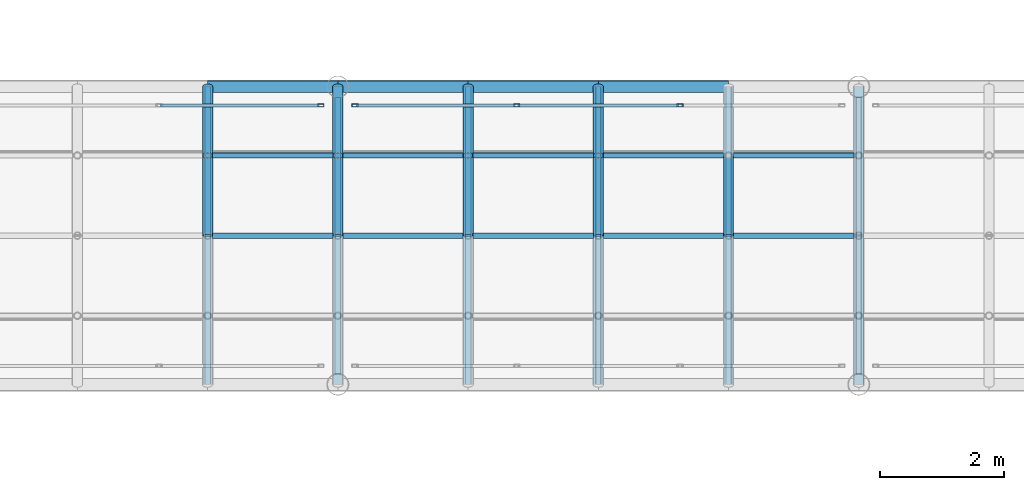
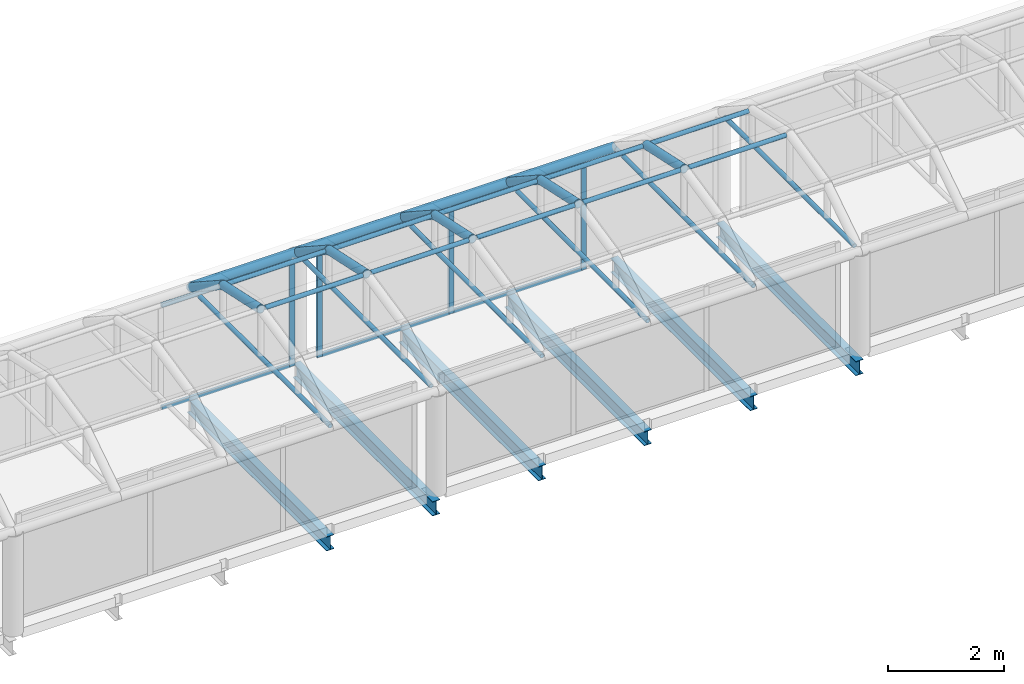
# One storey, part 101 of 167: 33 members, 12 beams, 2 elements without a shape of their own.
"""IFC4 building model written with IfcOpenShell, lengths in metres."""

from ifc_helpers import new_model, si_unit, direction, frame, origin, origin_2d, place, context, subcontext, project, spatial, hollow_rectangle, hollow_circle, i_section, extrude, material, material_profile, profile_set, type_object, element, aggregate, save


model = new_model("IFC4")

# Units and contexts
model_context = context("Model", 3, precision=1e-05, world=origin(), true_north=direction((0.0, 1.0)))
body_context = subcontext(model_context, "Body", "Model", "MODEL_VIEW")
ifc_project = project(units=[si_unit("LENGTHUNIT", "METRE"), si_unit("AREAUNIT", "SQUARE_METRE"), si_unit("VOLUMEUNIT", "CUBIC_METRE"), si_unit("PLANEANGLEUNIT", "RADIAN"), si_unit("MASSUNIT", "GRAM", prefix="KILO")], contexts=[model_context])

# Site, building, storey
site_placement = place(None, origin())
site = spatial("IfcSite", under=ifc_project, at=site_placement, CompositionType="ELEMENT")
building_placement = place(site_placement, origin())
building = spatial("IfcBuilding", under=site, at=building_placement, Name="Catenary Quay Ferry Terminal", CompositionType="ELEMENT")
storey_placement = place(building_placement, frame((0.0, 0.0, 6.0)))
storey = spatial("IfcBuildingStorey", under=building, at=storey_placement, Name="L01", CompositionType="ELEMENT", Elevation=6.0)

# Beams
ifc_material_1 = material(Name="Steel S355", Category="steel")
ifc_material_profile_1 = material_profile(ifc_material_1, i_section(OverallWidth=0.14990234375, OverallDepth=0.300048828125, WebThickness=0.007080078125, FlangeThickness=0.0107421875, at=origin_2d()), Name="IPE 300")
ifc_profile_set_1 = profile_set([ifc_material_profile_1], Name="Steel S355")
beam_type_1 = type_object("IfcBeamType", Name="B2 IPE 300", PredefinedType="BEAM", material=ifc_profile_set_1)
for number, where, z_axis, x_axis, name in (
    (1, (107.10009765625, 90.0, -0.35009765625), (0.0, 1.0, 0.0), (-1.0, 0.0, 0.0), "Beam B2-022"),
    (2, (109.199951171875, 90.0, -0.35009765625), (0.0, 1.0, 0.0), (-1.0, 0.0, 0.0), "Beam B2-023"),
    (3, (111.300048828125, 90.0, -0.35009765625), (0.0, 1.0, 0.0), (-1.0, 0.0, 0.0), "Beam B2-024"),
    (4, (113.39990234375, 90.0, -0.35009765625), (0.0, 1.0, 0.0), (-1.0, 0.0, 0.0), "Beam B2-025"),
    (5, (115.5, 90.0, -0.35009765625), (0.0, 1.0, 0.0), (-1.0, 0.0, 0.0), "Beam B2-026"),
    (6, (117.60009765625, 90.0, -0.35009765625), (0.0, 1.0, 0.0), (-1.0, 0.0, 0.0), "Beam B2-027"),
):
    element("IfcBeam", number, at=place(storey_placement, frame(where, z_axis=z_axis, x_axis=x_axis)), inside=storey, type_object=beam_type_1, Name=name, PredefinedType="BEAM", context=body_context, shape_type="SweptSolid", body=[
        extrude(i_section(OverallWidth=0.14990234375, OverallDepth=0.300048828125, WebThickness=0.007080078125, FlangeThickness=0.0107421875, at=origin_2d()), origin(), (0.0, 0.0, 1.0), 4.800048828125),
    ])

# Curtain wall, member
ifc_material_2 = material(Name="Aluminium and glass", Category="aluminium")
curtain_wall_type = type_object("IfcCurtainWallType", Name="CWB", PredefinedType="NOTDEFINED", material=ifc_material_2)
curtain_wall_1_placement = place(storey_placement, origin())
curtain_wall_1 = element("IfcCurtainWall", 7, at=curtain_wall_1_placement, inside=storey, type_object=curtain_wall_type, Name="BB2 curtain wall CW69", PredefinedType="NOTDEFINED")
ifc_material_3 = material(Name="Aluminium", Category="aluminium")
ifc_material_profile_2 = material_profile(ifc_material_3, hollow_rectangle(XDim=0.050048828125, YDim=0.10009765625, WallThickness=0.0048828125, at=origin_2d()), Name="MU1")
ifc_profile_set_2 = profile_set([ifc_material_profile_2], Name="Aluminium")
member_type_1 = type_object("IfcMemberType", Name="MU1", PredefinedType="MULLION", material=ifc_profile_set_2)
member_1_placement = place(storey_placement, frame((108.925048828125, 94.5, 0.0), z_axis=(0.0, 0.0, 1.0), x_axis=(0.0, 1.0, 0.0)))
member_1 = element("IfcMember", 8, at=member_1_placement, type_object=member_type_1, Name="CW69 mullion 4", PredefinedType="MULLION", context=body_context, shape_type="SweptSolid", body=[
    extrude(hollow_rectangle(XDim=0.050048828125, YDim=0.10009765625, WallThickness=0.0048828125, at=origin_2d()), origin(), (0.0, 0.0, 1.0), 2.195068359375),
])

# Curtain wall, members
curtain_wall_2_placement = place(storey_placement, origin())
curtain_wall_2 = element("IfcCurtainWall", 9, at=curtain_wall_2_placement, inside=storey, type_object=curtain_wall_type, Name="BB2 curtain wall CW70", PredefinedType="NOTDEFINED")
member_2_placement = place(storey_placement, frame((109.47509765625, 94.5, 0.0), z_axis=(0.0, 0.0, 1.0), x_axis=(0.0, 1.0, 0.0)))
member_2 = element("IfcMember", 10, at=member_2_placement, type_object=member_type_1, Name="CW70 mullion 1", PredefinedType="MULLION", context=body_context, shape_type="SweptSolid", body=[
    extrude(hollow_rectangle(XDim=0.050048828125, YDim=0.10009765625, WallThickness=0.0048828125, at=origin_2d()), origin(), (0.0, 0.0, 1.0), 2.195068359375),
])
member_3_placement = place(storey_placement, frame((112.083251953125, 94.5, 0.0), z_axis=(0.0, 0.0, 1.0), x_axis=(0.0, 1.0, 0.0)))
member_3 = element("IfcMember", 11, at=member_3_placement, type_object=member_type_1, Name="CW70 mullion 2", PredefinedType="MULLION", context=body_context, shape_type="SweptSolid", body=[
    extrude(hollow_rectangle(XDim=0.050048828125, YDim=0.10009765625, WallThickness=0.0048828125, at=origin_2d()), origin(), (0.0, 0.0, 1.0), 2.195068359375),
])
member_4_placement = place(storey_placement, frame((114.716552734375, 94.5, 0.0), z_axis=(0.0, 0.0, 1.0), x_axis=(0.0, 1.0, 0.0)))
member_4 = element("IfcMember", 12, at=member_4_placement, type_object=member_type_1, Name="CW70 mullion 3", PredefinedType="MULLION", context=body_context, shape_type="SweptSolid", body=[
    extrude(hollow_rectangle(XDim=0.050048828125, YDim=0.10009765625, WallThickness=0.0048828125, at=origin_2d()), origin(), (0.0, 0.0, 1.0), 2.195068359375),
])

# Members
ifc_material_4 = material(Name="Steel S355", Category="steel")
ifc_material_profile_3 = material_profile(ifc_material_4, hollow_circle(Radius=0.04443359375, WallThickness=0.0048828125, at=origin_2d()), Name="CHS 88.9x5")
ifc_profile_set_3 = profile_set([ifc_material_profile_3], Name="Steel S355")
member_type_2 = type_object("IfcMemberType", Name="PU3 CHS 88.9x5", PredefinedType="PURLIN", material=ifc_profile_set_3)
for number, where, z_axis, x_axis, name in (
    (13, (107.179931640625, 92.39990234375, 3.10009765625), (1.0, 0.0, 0.0), (0.0, 1.0, 0.0), "Purlin PU-RB2-08-02"),
    (14, (107.179931640625, 93.69189453125, 2.821044921875), (1.0, 0.0, 0.0), (0.0, 1.0, 0.0), "Purlin PU-RB2-08-03"),
):
    element("IfcMember", number, at=place(storey_placement, frame(where, z_axis=z_axis, x_axis=x_axis)), inside=storey, type_object=member_type_2, Name=name, PredefinedType="PURLIN", context=body_context, shape_type="SweptSolid", body=[
        extrude(hollow_circle(Radius=0.04443359375, WallThickness=0.0048828125, at=origin_2d()), origin(), (0.0, 0.0, 1.0), 1.940185546875),
    ])
for number, where, z_axis, x_axis, name in (
    (15, (109.280029296875, 92.39990234375, 3.10009765625), (1.0, 0.0, 0.0), (0.0, 1.0, 0.0), "Purlin PU-RB2-09-02"),
    (16, (109.280029296875, 93.69189453125, 2.821044921875), (1.0, 0.0, 0.0), (0.0, 1.0, 0.0), "Purlin PU-RB2-09-03"),
):
    element("IfcMember", number, at=place(storey_placement, frame(where, z_axis=z_axis, x_axis=x_axis)), inside=storey, type_object=member_type_2, Name=name, PredefinedType="PURLIN", context=body_context, shape_type="SweptSolid", body=[
        extrude(hollow_circle(Radius=0.04443359375, WallThickness=0.0048828125, at=origin_2d()), origin(), (0.0, 0.0, 1.0), 1.93994140625),
    ])
for number, where, z_axis, x_axis, name in (
    (17, (111.3798828125, 92.39990234375, 3.10009765625), (1.0, 0.0, 0.0), (0.0, 1.0, 0.0), "Purlin PU-RB2-10-02"),
    (18, (111.3798828125, 93.69189453125, 2.821044921875), (1.0, 0.0, 0.0), (0.0, 1.0, 0.0), "Purlin PU-RB2-10-03"),
):
    element("IfcMember", number, at=place(storey_placement, frame(where, z_axis=z_axis, x_axis=x_axis)), inside=storey, type_object=member_type_2, Name=name, PredefinedType="PURLIN", context=body_context, shape_type="SweptSolid", body=[
        extrude(hollow_circle(Radius=0.04443359375, WallThickness=0.0048828125, at=origin_2d()), origin(), (0.0, 0.0, 1.0), 1.940185546875),
    ])
for number, where, z_axis, x_axis, name in (
    (19, (113.47998046875, 92.39990234375, 3.10009765625), (1.0, 0.0, 0.0), (0.0, 1.0, 0.0), "Purlin PU-RB2-11-02"),
    (20, (113.47998046875, 93.69189453125, 2.821044921875), (1.0, 0.0, 0.0), (0.0, 1.0, 0.0), "Purlin PU-RB2-11-03"),
    (21, (115.580078125, 92.39990234375, 3.10009765625), (1.0, 0.0, 0.0), (0.0, 1.0, 0.0), "Purlin PU-RB2-12-02"),
    (22, (115.580078125, 93.69189453125, 2.821044921875), (1.0, 0.0, 0.0), (0.0, 1.0, 0.0), "Purlin PU-RB2-12-03"),
):
    element("IfcMember", number, at=place(storey_placement, frame(where, z_axis=z_axis, x_axis=x_axis)), inside=storey, type_object=member_type_2, Name=name, PredefinedType="PURLIN", context=body_context, shape_type="SweptSolid", body=[
        extrude(hollow_circle(Radius=0.04443359375, WallThickness=0.0048828125, at=origin_2d()), origin(), (0.0, 0.0, 1.0), 1.93994140625),
    ])

# Beams
ifc_material_5 = material(Name="Steel S355", Category="steel")
ifc_material_profile_4 = material_profile(ifc_material_5, hollow_circle(Radius=0.04443359375, WallThickness=0.0048828125, at=origin_2d()), Name="CHS 88.9x5")
ifc_profile_set_4 = profile_set([ifc_material_profile_4], Name="Steel S355")
beam_type_2 = type_object("IfcBeamType", Name="TB4 CHS 88.9x5", PredefinedType="BEAM", material=ifc_profile_set_4)
beam_1_placement = place(storey_placement, frame((107.10009765625, 90.0, 2.10009765625), z_axis=(0.0, 1.0, 0.0), x_axis=(-1.0, 0.0, 0.0)))
element("IfcBeam", 23, at=beam_1_placement, inside=storey, type_object=beam_type_2, Name="tie beam RB2-08", PredefinedType="BEAM", context=body_context, shape_type="SweptSolid", body=[
    extrude(hollow_circle(Radius=0.04443359375, WallThickness=0.0048828125, at=origin_2d()), origin(), (0.0, 0.0, 1.0), 4.800048828125),
])
beam_2_placement = place(storey_placement, frame((109.199951171875, 90.172119140625, 2.10009765625), z_axis=(0.0, 1.0, 0.0), x_axis=(-1.0, 0.0, 0.0)))
element("IfcBeam", 24, at=beam_2_placement, inside=storey, type_object=beam_type_2, Name="tie beam RB2-09", PredefinedType="BEAM", context=body_context, shape_type="SweptSolid", body=[
    extrude(hollow_circle(Radius=0.04443359375, WallThickness=0.0048828125, at=origin_2d()), origin(), (0.0, 0.0, 1.0), 4.455810546875),
])
for number, where, z_axis, x_axis, name in (
    (25, (111.300048828125, 90.0, 2.10009765625), (0.0, 1.0, 0.0), (-1.0, 0.0, 0.0), "tie beam RB2-10"),
    (26, (113.39990234375, 90.0, 2.10009765625), (0.0, 1.0, 0.0), (-1.0, 0.0, 0.0), "tie beam RB2-11"),
    (27, (115.5, 90.0, 2.10009765625), (0.0, 1.0, 0.0), (-1.0, 0.0, 0.0), "tie beam RB2-12"),
):
    element("IfcBeam", number, at=place(storey_placement, frame(where, z_axis=z_axis, x_axis=x_axis)), inside=storey, type_object=beam_type_2, Name=name, PredefinedType="BEAM", context=body_context, shape_type="SweptSolid", body=[
        extrude(hollow_circle(Radius=0.04443359375, WallThickness=0.0048828125, at=origin_2d()), origin(), (0.0, 0.0, 1.0), 4.800048828125),
    ])
beam_3_placement = place(storey_placement, frame((117.60009765625, 90.172119140625, 2.10009765625), z_axis=(0.0, 1.0, 0.0), x_axis=(-1.0, 0.0, 0.0)))
element("IfcBeam", 28, at=beam_3_placement, inside=storey, type_object=beam_type_2, Name="tie beam RB2-13", PredefinedType="BEAM", context=body_context, shape_type="SweptSolid", body=[
    extrude(hollow_circle(Radius=0.04443359375, WallThickness=0.0048828125, at=origin_2d()), origin(), (0.0, 0.0, 1.0), 4.455810546875),
])

# Members
ifc_material_6 = material(Name="Steel S355", Category="steel")
ifc_material_profile_5 = material_profile(ifc_material_6, hollow_circle(Radius=0.096923828125, WallThickness=0.010009765625, at=origin_2d()), Name="CHS 193.7x10")
ifc_profile_set_5 = profile_set([ifc_material_profile_5], Name="Steel S355")
member_type_3 = type_object("IfcMemberType", Name="TC2 CHS 193.7x10", PredefinedType="CHORD", material=ifc_profile_set_5)
member_5_placement = place(storey_placement, frame((107.10009765625, 94.800048828125, 2.10009765625), z_axis=(1.0, 0.0, 0.0), x_axis=(0.0, 1.0, 0.0)))
element("IfcMember", 29, at=member_5_placement, inside=storey, type_object=member_type_3, Name="Bridge top chord BB2N-TC08", PredefinedType="CHORD", context=body_context, shape_type="SweptSolid", body=[
    extrude(hollow_circle(Radius=0.096923828125, WallThickness=0.010009765625, at=origin_2d()), origin(), (0.0, 0.0, 1.0), 2.099853515625),
])
member_6_placement = place(storey_placement, frame((109.199951171875, 94.800048828125, 2.10009765625), z_axis=(1.0, 0.0, 0.0), x_axis=(0.0, 1.0, 0.0)))
element("IfcMember", 30, at=member_6_placement, inside=storey, type_object=member_type_3, Name="Bridge top chord BB2N-TC09", PredefinedType="CHORD", context=body_context, shape_type="SweptSolid", body=[
    extrude(hollow_circle(Radius=0.096923828125, WallThickness=0.010009765625, at=origin_2d()), origin(), (0.0, 0.0, 1.0), 2.10009765625),
])
member_7_placement = place(storey_placement, frame((111.300048828125, 94.800048828125, 2.10009765625), z_axis=(1.0, 0.0, 0.0), x_axis=(0.0, 1.0, 0.0)))
element("IfcMember", 31, at=member_7_placement, inside=storey, type_object=member_type_3, Name="Bridge top chord BB2N-TC10", PredefinedType="CHORD", context=body_context, shape_type="SweptSolid", body=[
    extrude(hollow_circle(Radius=0.096923828125, WallThickness=0.010009765625, at=origin_2d()), origin(), (0.0, 0.0, 1.0), 2.099853515625),
])
member_8_placement = place(storey_placement, frame((113.39990234375, 94.800048828125, 2.10009765625), z_axis=(1.0, 0.0, 0.0), x_axis=(0.0, 1.0, 0.0)))
element("IfcMember", 32, at=member_8_placement, inside=storey, type_object=member_type_3, Name="Bridge top chord BB2N-TC11", PredefinedType="CHORD", context=body_context, shape_type="SweptSolid", body=[
    extrude(hollow_circle(Radius=0.096923828125, WallThickness=0.010009765625, at=origin_2d()), origin(), (0.0, 0.0, 1.0), 2.10009765625),
])

# Member
ifc_material_7 = material(Name="Aluminium", Category="aluminium")
ifc_material_profile_6 = material_profile(ifc_material_7, hollow_rectangle(XDim=0.050048828125, YDim=0.080078125, WallThickness=0.00390625, at=origin_2d()), Name="TR1")
ifc_profile_set_6 = profile_set([ifc_material_profile_6], Name="Aluminium")
member_type_4 = type_object("IfcMemberType", Name="TR1", PredefinedType="USERDEFINED", material=ifc_profile_set_6)
member_9_placement = place(storey_placement, frame((106.341552734375, 94.5, 0.02490234375), z_axis=(1.0, 0.0, 0.0), x_axis=(0.0, 1.0, 0.0)))
member_9 = element("IfcMember", 33, at=member_9_placement, type_object=member_type_4, Name="CW69 transom 3.1", ObjectType="TRANSOM", PredefinedType="USERDEFINED", context=body_context, shape_type="SweptSolid", body=[
    extrude(hollow_rectangle(XDim=0.050048828125, YDim=0.080078125, WallThickness=0.00390625, at=origin_2d()), origin(), (0.0, 0.0, 1.0), 2.558349609375),
])

member_10_placement = place(storey_placement, frame((106.341552734375, 94.5, 2.169921875), z_axis=(1.0, 0.0, 0.0), x_axis=(0.0, 1.0, 0.0)))
member_10 = element("IfcMember", 34, at=member_10_placement, type_object=member_type_4, Name="CW69 transom 3.2", ObjectType="TRANSOM", PredefinedType="USERDEFINED", context=body_context, shape_type="SweptSolid", body=[
    extrude(hollow_rectangle(XDim=0.050048828125, YDim=0.080078125, WallThickness=0.00390625, at=origin_2d()), origin(), (0.0, 0.0, 1.0), 2.558349609375),
])

aggregate(curtain_wall_1, [member_1, member_9, member_10])

member_11_placement = place(storey_placement, frame((109.5, 94.5, 0.02490234375), z_axis=(1.0, 0.0, 0.0), x_axis=(0.0, 1.0, 0.0)))
member_11 = element("IfcMember", 35, at=member_11_placement, type_object=member_type_4, Name="CW70 transom 1.1", ObjectType="TRANSOM", PredefinedType="USERDEFINED", context=body_context, shape_type="SweptSolid", body=[
    extrude(hollow_rectangle(XDim=0.050048828125, YDim=0.080078125, WallThickness=0.00390625, at=origin_2d()), origin(), (0.0, 0.0, 1.0), 2.558349609375),
])

member_12_placement = place(storey_placement, frame((109.5, 94.5, 2.169921875), z_axis=(1.0, 0.0, 0.0), x_axis=(0.0, 1.0, 0.0)))
member_12 = element("IfcMember", 36, at=member_12_placement, type_object=member_type_4, Name="CW70 transom 1.2", ObjectType="TRANSOM", PredefinedType="USERDEFINED", context=body_context, shape_type="SweptSolid", body=[
    extrude(hollow_rectangle(XDim=0.050048828125, YDim=0.080078125, WallThickness=0.00390625, at=origin_2d()), origin(), (0.0, 0.0, 1.0), 2.558349609375),
])

member_13_placement = place(storey_placement, frame((112.1083984375, 94.5, 0.02490234375), z_axis=(1.0, 0.0, 0.0), x_axis=(0.0, 1.0, 0.0)))
member_13 = element("IfcMember", 37, at=member_13_placement, type_object=member_type_4, Name="CW70 transom 2.1", ObjectType="TRANSOM", PredefinedType="USERDEFINED", context=body_context, shape_type="SweptSolid", body=[
    extrude(hollow_rectangle(XDim=0.050048828125, YDim=0.080078125, WallThickness=0.00390625, at=origin_2d()), origin(), (0.0, 0.0, 1.0), 2.583251953125),
])

member_14_placement = place(storey_placement, frame((112.1083984375, 94.5, 2.169921875), z_axis=(1.0, 0.0, 0.0), x_axis=(0.0, 1.0, 0.0)))
member_14 = element("IfcMember", 38, at=member_14_placement, type_object=member_type_4, Name="CW70 transom 2.2", ObjectType="TRANSOM", PredefinedType="USERDEFINED", context=body_context, shape_type="SweptSolid", body=[
    extrude(hollow_rectangle(XDim=0.050048828125, YDim=0.080078125, WallThickness=0.00390625, at=origin_2d()), origin(), (0.0, 0.0, 1.0), 2.583251953125),
])

aggregate(curtain_wall_2, [member_2, member_3, member_4, member_11, member_12, member_13, member_14])

# Members
ifc_material_8 = material(Name="Steel S355", Category="steel")
ifc_material_profile_7 = material_profile(ifc_material_8, hollow_circle(Radius=0.084228515625, WallThickness=0.008056640625, at=origin_2d()), Name="CHS 168.3x8")
ifc_profile_set_7 = profile_set([ifc_material_profile_7], Name="Steel S355")
member_type_5 = type_object("IfcMemberType", Name="VR4 CHS 168.3x8", PredefinedType="RAFTER", material=ifc_profile_set_7)
member_15_placement = place(storey_placement, frame((107.10009765625, 92.39990234375, 3.10009765625), z_axis=(0.0, 0.977460543774, -0.211118178672), x_axis=(-1.0, 0.0, 0.0)))
element("IfcMember", 39, at=member_15_placement, inside=storey, type_object=member_type_5, Name="rib RB2-08-03", PredefinedType="RAFTER", context=body_context, shape_type="SweptSolid", body=[
    extrude(hollow_circle(Radius=0.084228515625, WallThickness=0.008056640625, at=origin_2d()), origin(), (0.0, 0.0, 1.0), 1.32177734375),
])
member_16_placement = place(storey_placement, frame((107.10009765625, 93.69189453125, 2.821044921875), z_axis=(0.0, 0.838219928753, -0.545332330823), x_axis=(-1.0, 0.0, 0.0)))
element("IfcMember", 40, at=member_16_placement, inside=storey, type_object=member_type_5, Name="rib RB2-08-04", PredefinedType="RAFTER", context=body_context, shape_type="SweptSolid", body=[
    extrude(hollow_circle(Radius=0.084228515625, WallThickness=0.008056640625, at=origin_2d()), origin(), (0.0, 0.0, 1.0), 1.322021484375),
])
member_17_placement = place(storey_placement, frame((109.199951171875, 92.39990234375, 3.10009765625), z_axis=(0.0, 0.977460543774, -0.211118178672), x_axis=(-1.0, 0.0, 0.0)))
element("IfcMember", 41, at=member_17_placement, inside=storey, type_object=member_type_5, Name="rib RB2-09-03", PredefinedType="RAFTER", context=body_context, shape_type="SweptSolid", body=[
    extrude(hollow_circle(Radius=0.084228515625, WallThickness=0.008056640625, at=origin_2d()), origin(), (0.0, 0.0, 1.0), 1.32177734375),
])
member_18_placement = place(storey_placement, frame((109.199951171875, 93.69189453125, 2.821044921875), z_axis=(0.0, 0.838219928753, -0.545332330823), x_axis=(-1.0, 0.0, 0.0)))
element("IfcMember", 42, at=member_18_placement, inside=storey, type_object=member_type_5, Name="rib RB2-09-04", PredefinedType="RAFTER", context=body_context, shape_type="SweptSolid", body=[
    extrude(hollow_circle(Radius=0.084228515625, WallThickness=0.008056640625, at=origin_2d()), origin(), (0.0, 0.0, 1.0), 1.322021484375),
])
member_19_placement = place(storey_placement, frame((111.300048828125, 92.39990234375, 3.10009765625), z_axis=(0.0, 0.977460543774, -0.211118178672), x_axis=(-1.0, 0.0, 0.0)))
element("IfcMember", 43, at=member_19_placement, inside=storey, type_object=member_type_5, Name="rib RB2-10-03", PredefinedType="RAFTER", context=body_context, shape_type="SweptSolid", body=[
    extrude(hollow_circle(Radius=0.084228515625, WallThickness=0.008056640625, at=origin_2d()), origin(), (0.0, 0.0, 1.0), 1.32177734375),
])
member_20_placement = place(storey_placement, frame((111.300048828125, 93.69189453125, 2.821044921875), z_axis=(0.0, 0.838219928753, -0.545332330823), x_axis=(-1.0, 0.0, 0.0)))
element("IfcMember", 44, at=member_20_placement, inside=storey, type_object=member_type_5, Name="rib RB2-10-04", PredefinedType="RAFTER", context=body_context, shape_type="SweptSolid", body=[
    extrude(hollow_circle(Radius=0.084228515625, WallThickness=0.008056640625, at=origin_2d()), origin(), (0.0, 0.0, 1.0), 1.322021484375),
])
member_21_placement = place(storey_placement, frame((113.39990234375, 92.39990234375, 3.10009765625), z_axis=(0.0, 0.977460543774, -0.211118178672), x_axis=(-1.0, 0.0, 0.0)))
element("IfcMember", 45, at=member_21_placement, inside=storey, type_object=member_type_5, Name="rib RB2-11-03", PredefinedType="RAFTER", context=body_context, shape_type="SweptSolid", body=[
    extrude(hollow_circle(Radius=0.084228515625, WallThickness=0.008056640625, at=origin_2d()), origin(), (0.0, 0.0, 1.0), 1.32177734375),
])
member_22_placement = place(storey_placement, frame((113.39990234375, 93.69189453125, 2.821044921875), z_axis=(0.0, 0.838219928753, -0.545332330823), x_axis=(-1.0, 0.0, 0.0)))
element("IfcMember", 46, at=member_22_placement, inside=storey, type_object=member_type_5, Name="rib RB2-11-04", PredefinedType="RAFTER", context=body_context, shape_type="SweptSolid", body=[
    extrude(hollow_circle(Radius=0.084228515625, WallThickness=0.008056640625, at=origin_2d()), origin(), (0.0, 0.0, 1.0), 1.322021484375),
])
member_23_placement = place(storey_placement, frame((115.5, 92.39990234375, 3.10009765625), z_axis=(0.0, 0.977460543774, -0.211118178672), x_axis=(-1.0, 0.0, 0.0)))
element("IfcMember", 47, at=member_23_placement, inside=storey, type_object=member_type_5, Name="rib RB2-12-03", PredefinedType="RAFTER", context=body_context, shape_type="SweptSolid", body=[
    extrude(hollow_circle(Radius=0.084228515625, WallThickness=0.008056640625, at=origin_2d()), origin(), (0.0, 0.0, 1.0), 1.32177734375),
])

save(model, "model.ifc")
